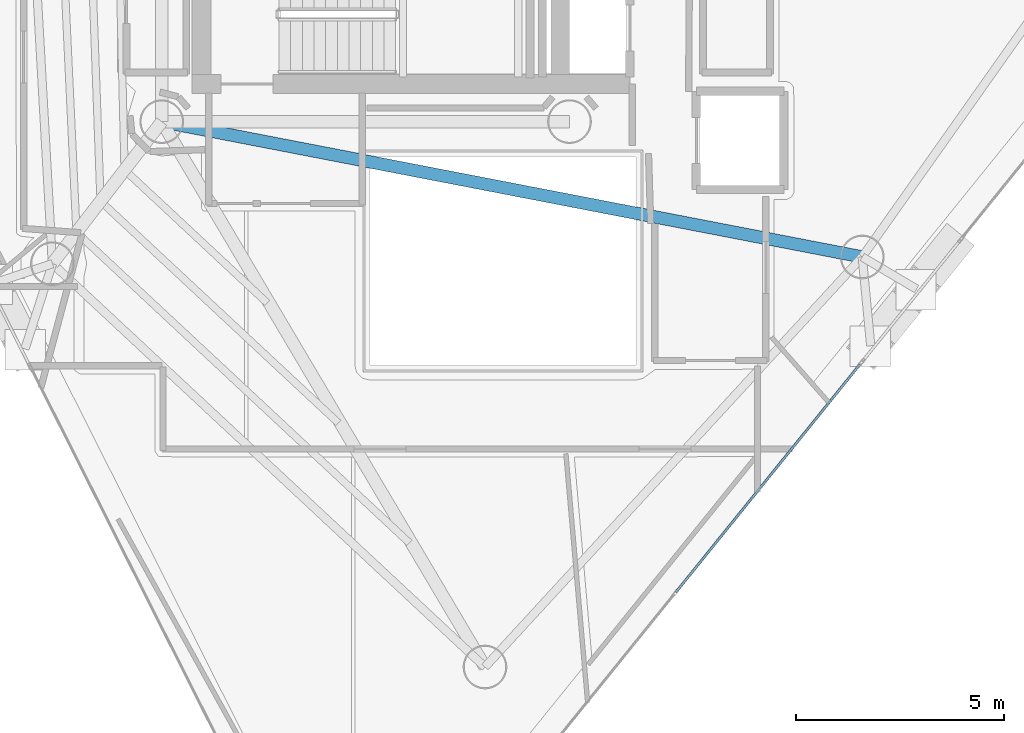
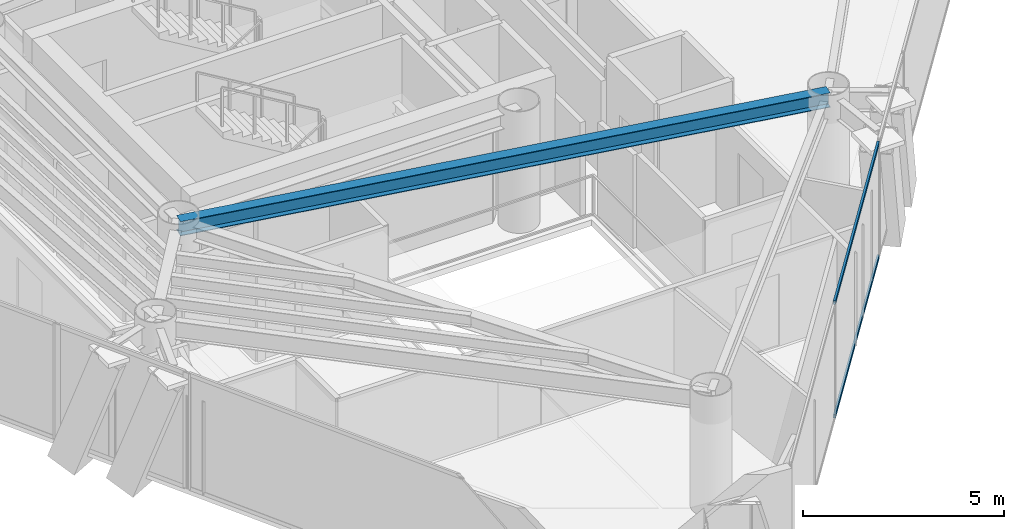
# One storey, part 5 of 19: 2 members, 1 beam, 1 element without a shape of its own.
"""IFC4 building model written with IfcOpenShell, lengths in metres."""

from ifc_helpers import new_model, si_unit, direction, frame, origin, origin_2d, place, context, subcontext, project, spatial, hollow_rectangle, i_section, extrude, material, layer, layer_set, material_profile, profile_set, type_object, element, aggregate, save


model = new_model("IFC4")

# Units and contexts
model_context = context("Model", 3, precision=1e-05, world=origin(), true_north=direction((0.0, 1.0)))
body_context = subcontext(model_context, "Body", "Model", "MODEL_VIEW")
ifc_project = project(units=[si_unit("LENGTHUNIT", "METRE"), si_unit("AREAUNIT", "SQUARE_METRE"), si_unit("VOLUMEUNIT", "CUBIC_METRE"), si_unit("PLANEANGLEUNIT", "RADIAN"), si_unit("MASSUNIT", "GRAM", prefix="KILO")], contexts=[model_context])

# Site, building, storey
site_placement = place(None, origin())
site = spatial("IfcSite", under=ifc_project, at=site_placement, CompositionType="ELEMENT")
building_placement = place(site_placement, origin())
building = spatial("IfcBuilding", under=site, at=building_placement, Name="Qianvela Tower", CompositionType="ELEMENT")
storey_placement = place(building_placement, frame((0.0, 0.0, 261.199951171875)))
storey = spatial("IfcBuildingStorey", under=building, at=storey_placement, Name="L67", CompositionType="ELEMENT", Elevation=261.199951171875)

# Beam
ifc_material_1 = material(Name="Steel Q355B", Category="steel")
ifc_material_profile_1 = material_profile(ifc_material_1, i_section(OverallWidth=0.300048828125, OverallDepth=0.43994140625, WebThickness=0.010986328125, FlangeThickness=0.01806640625, at=origin_2d()), Name="HM440x300x11x18")
ifc_profile_set_1 = profile_set([ifc_material_profile_1], Name="Steel Q355B")
beam_type = type_object("IfcBeamType", Name="BM-HM440-COLL", PredefinedType="BEAM", material=ifc_profile_set_1)
beam_placement = place(storey_placement, frame((28.60009765625, 23.85009765625, 3.298095703125), z_axis=(0.981849104236, -0.189663745904, 0.0), x_axis=(0.189663745904, 0.981849104236, 0.0)))
element("IfcBeam", 1, at=beam_placement, inside=storey, type_object=beam_type, Name="L67 Radial Primary Floor Girder 6", PredefinedType="BEAM", context=body_context, shape_type="SweptSolid", body=[
    extrude(i_section(OverallWidth=0.300048828125, OverallDepth=0.43994140625, WebThickness=0.010986328125, FlangeThickness=0.01806640625, at=origin_2d()), origin(), (0.0, 0.0, 1.0), 17.147216796875),
])

# Curtain wall, members
ifc_material_2 = material(Name="Anodised Architectural Aluminium and Low-E Glass", Category="aluminium")
ifc_layer = layer(ifc_material_2, 0.159912109375)
ifc_layer_set = layer_set([ifc_layer], Name="Anodised Architectural Aluminium and Low-E Glass")
curtain_wall_type = type_object("IfcCurtainWallType", Name="CW-COLIV-Z56", PredefinedType="USERDEFINED", material=ifc_layer_set)
curtain_wall_placement = place(storey_placement, origin())
curtain_wall = element("IfcCurtainWall", 2, at=curtain_wall_placement, inside=storey, type_object=curtain_wall_type, Name="L67 CW-COLIV-Z56 Curtain Wall 06A", ObjectType="CURTAIN_WALL_SYSTEM", PredefinedType="USERDEFINED")
ifc_material_3 = material(Name="Anodised Architectural Aluminium 6063-T6", Category="aluminium")
ifc_material_profile_2 = material_profile(ifc_material_3, hollow_rectangle(XDim=0.06005859375, YDim=0.114990234375, WallThickness=0.00390625, at=origin_2d()), Name="ALU-TRAN-60x115")
ifc_profile_set_2 = profile_set([ifc_material_profile_2], Name="Anodised Architectural Aluminium 6063-T6")
member_type = type_object("IfcMemberType", Name="CW-COLIV-Z56-TRAN", PredefinedType="USERDEFINED", material=ifc_profile_set_2)
member_1_placement = place(storey_placement, frame((40.95654296875, 12.537841796875, 0.030029296875), z_axis=(0.628341955637, 0.777937264043, 0.0), x_axis=(-0.777937264043, 0.628341955637, 0.0)))
member_1 = element("IfcMember", 3, at=member_1_placement, type_object=member_type, Name="CW-5 transom 2.1", ObjectType="TRANSOM", PredefinedType="USERDEFINED", context=body_context, shape_type="SweptSolid", body=[
    extrude(hollow_rectangle(XDim=0.06005859375, YDim=0.114990234375, WallThickness=0.00390625, at=origin_2d()), origin(), (0.0, 0.0, 1.0), 7.0322265625),
])
member_2_placement = place(storey_placement, frame((40.95654296875, 12.537841796875, 3.489990234375), z_axis=(0.628341955637, 0.777937264043, 0.0), x_axis=(-0.777937264043, 0.628341955637, 0.0)))
member_2 = element("IfcMember", 4, at=member_2_placement, type_object=member_type, Name="CW-5 transom 2.2", ObjectType="TRANSOM", PredefinedType="USERDEFINED", context=body_context, shape_type="SweptSolid", body=[
    extrude(hollow_rectangle(XDim=0.06005859375, YDim=0.114990234375, WallThickness=0.00390625, at=origin_2d()), origin(), (0.0, 0.0, 1.0), 7.0322265625),
])
aggregate(curtain_wall, [member_1, member_2])

save(model, "model.ifc")
